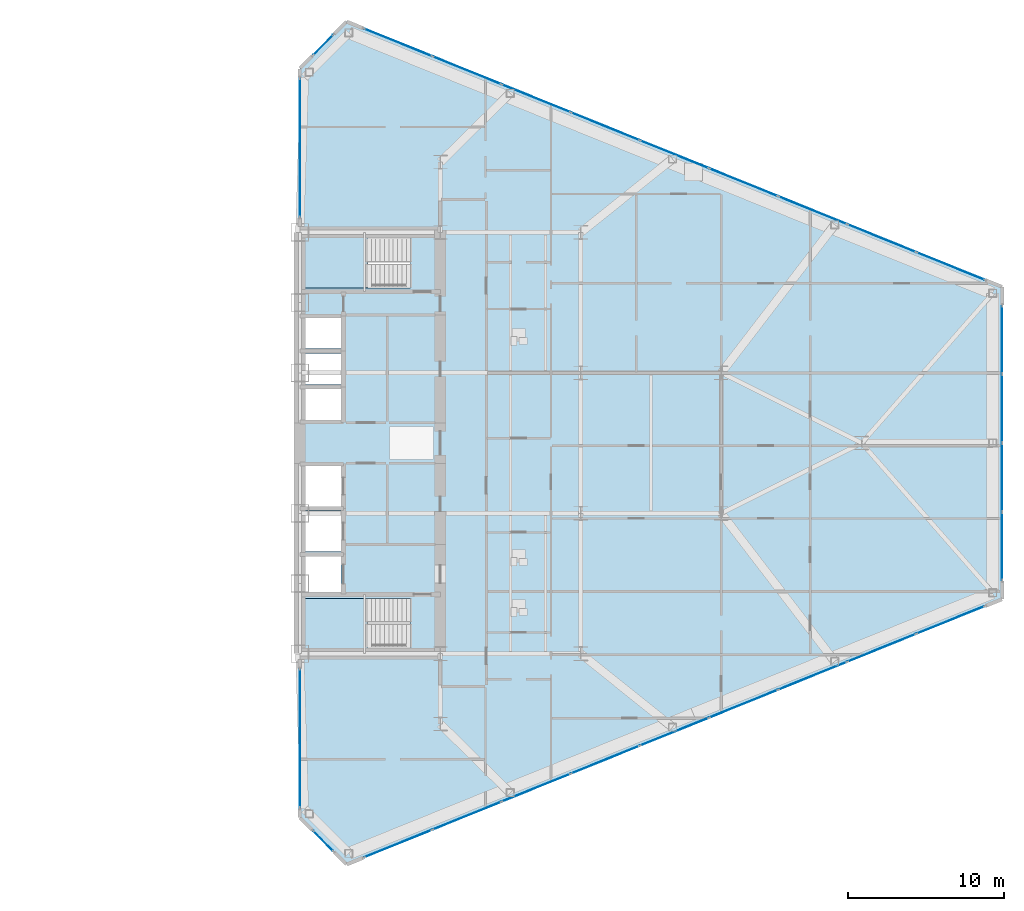
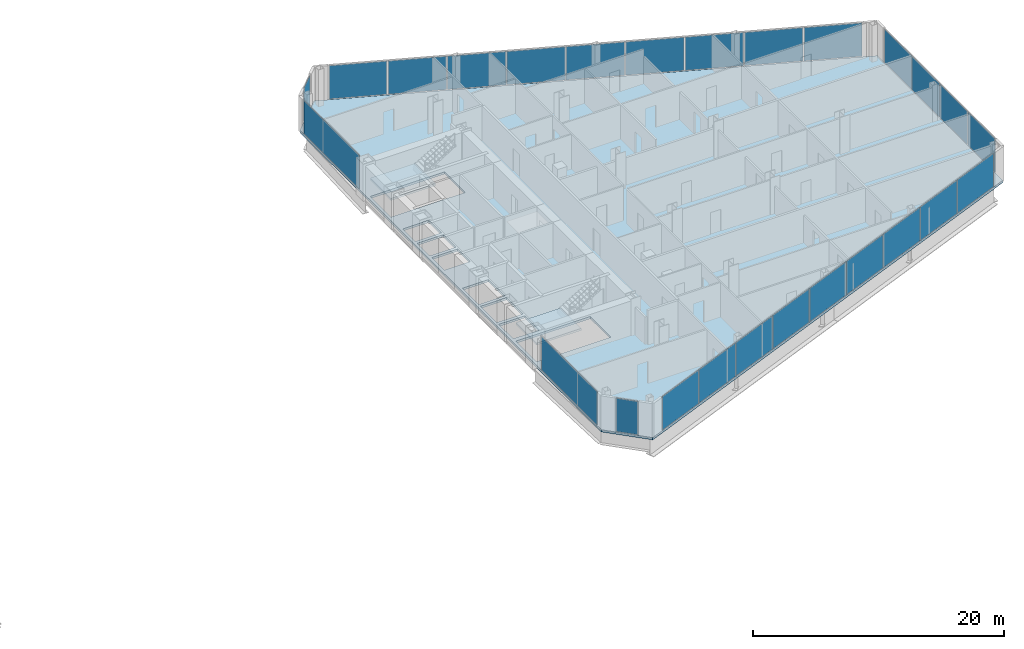
# One storey, part 17 of 26: 26 plates, 3 slabs, 9 elements without a shape of their own.
"""IFC4 building model written with IfcOpenShell, lengths in metres."""

from ifc_helpers import new_model, si_unit, direction, frame, origin, origin_2d, place, context, subcontext, project, spatial, polyline, rectangle, outline, extrude, source, transform, mapped, material, layer, layer_set, type_object, type_shapes, element, aggregate, save


model = new_model("IFC4")

# Units and contexts
model_context = context("Model", 3, precision=1e-05, world=origin(), true_north=direction((0.0, 1.0)))
body_context = subcontext(model_context, "Body", "Model", "MODEL_VIEW")
ifc_project = project(units=[si_unit("LENGTHUNIT", "METRE"), si_unit("AREAUNIT", "SQUARE_METRE"), si_unit("VOLUMEUNIT", "CUBIC_METRE"), si_unit("PLANEANGLEUNIT", "RADIAN"), si_unit("MASSUNIT", "GRAM", prefix="KILO")], contexts=[model_context])

# Site, building, storey
site_placement = place(None, origin())
site = spatial("IfcSite", under=ifc_project, at=site_placement, CompositionType="ELEMENT")
building_placement = place(site_placement, origin())
building = spatial("IfcBuilding", under=site, at=building_placement, Name="Seokmaru Belvedere", CompositionType="ELEMENT")
storey_placement = place(building_placement, frame((0.0, 0.0, 18.89990234375)))
storey = spatial("IfcBuildingStorey", under=building, at=storey_placement, Name="L04", CompositionType="ELEMENT", Elevation=18.89990234375)

# Stair, slab
ifc_material_1 = material(Name="Concrete C40 (40 MPa)", Category="concrete")
stair_type = type_object("IfcStairType", Name="Typical Tower Core Dog-Leg Stair 3600", PredefinedType="TWO_STRAIGHT_RUN_STAIR", material=ifc_material_1)
stair_1_placement = place(storey_placement, origin())
stair_1 = element("IfcStair", 1, at=stair_1_placement, inside=storey, type_object=stair_type, Name="L04 Special Escape Stair ST-E1", PredefinedType="TWO_STRAIGHT_RUN_STAIR")
ifc_layer_1 = layer(ifc_material_1, 0.199951171875)
ifc_layer_set_1 = layer_set([ifc_layer_1], Name="Concrete C40 (40 MPa)")
slab_type_1 = type_object("IfcSlabType", Name="Reinforced Concrete Stair Landing Slab 200", PredefinedType="LANDING", material=ifc_layer_set_1)
slab_1_placement = place(storey_placement, frame((0.0, 0.0, 1.60009765625)))
slab_1 = element("IfcSlab", 2, at=slab_1_placement, type_object=slab_type_1, Name="ST-E1 landing 1", PredefinedType="LANDING", context=body_context, shape_type="SweptSolid", body=[
    extrude(outline(polyline([(27.760009765625, -13.239990234375), (31.8798828125, -13.239990234375), (31.8798828125, -9.949951171875), (27.760009765625, -9.949951171875), (27.760009765625, -13.239990234375)])), origin(), (0.0, 0.0, 1.0), 0.199951171875),
])
aggregate(stair_1, [slab_1])

stair_2_placement = place(storey_placement, origin())
stair_2 = element("IfcStair", 3, at=stair_2_placement, inside=storey, type_object=stair_type, Name="L04 Special Escape Stair ST-E2", PredefinedType="TWO_STRAIGHT_RUN_STAIR")
slab_2_placement = place(storey_placement, frame((0.0, 0.0, 1.60009765625)))
slab_2 = element("IfcSlab", 4, at=slab_2_placement, type_object=slab_type_1, Name="ST-E2 landing 1", PredefinedType="LANDING", context=body_context, shape_type="SweptSolid", body=[
    extrude(outline(polyline([(27.760009765625, 9.949951171875), (31.8798828125, 9.949951171875), (31.8798828125, 13.239990234375), (27.760009765625, 13.239990234375), (27.760009765625, 9.949951171875)])), origin(), (0.0, 0.0, 1.0), 0.199951171875),
])
aggregate(stair_2, [slab_2])

# Slab
ifc_layer_2 = layer(ifc_material_1, 0.219970703125)
ifc_layer_set_2 = layer_set([ifc_layer_2], Name="Concrete C40 (40 MPa)")
slab_type_2 = type_object("IfcSlabType", Name="Typical Tower Composite Floor Slab 220", PredefinedType="FLOOR", material=ifc_layer_set_2)
slab_3_placement = place(storey_placement, frame((0.0, 0.0, -0.219970703125)))
element("IfcSlab", 5, at=slab_3_placement, inside=storey, type_object=slab_type_2, Name="L04 East Leg Floor Slab", PredefinedType="FLOOR", context=body_context, shape_type="SweptSolid", body=[
    extrude(outline(polyline([(30.5, -27.0), (72.5, -10.0), (72.5, 10.0), (30.5, 27.0), (27.5, 24.0), (27.5, -24.0), (30.5, -27.0)]), holes=[polyline([(27.75, -13.25), (34.60009765625, -13.25), (34.60009765625, -9.949951171875), (27.75, -9.949951171875), (27.75, -13.25)]), polyline([(27.75, 9.949951171875), (34.60009765625, 9.949951171875), (34.60009765625, 13.25), (27.75, 13.25), (27.75, 9.949951171875)]), polyline([(27.75, -9.550048828125), (30.14990234375, -9.550048828125), (30.14990234375, -7.25), (27.75, -7.25), (27.75, -9.550048828125)]), polyline([(27.75, -6.949951171875), (30.14990234375, -6.949951171875), (30.14990234375, -4.35009765625), (27.75, -4.35009765625), (27.75, -6.949951171875)]), polyline([(27.75, -4.050048828125), (30.14990234375, -4.050048828125), (30.14990234375, -1.449951171875), (27.75, -1.449951171875), (27.75, -4.050048828125)]), polyline([(27.75, 1.449951171875), (30.14990234375, 1.449951171875), (30.14990234375, 3.449951171875), (27.75, 3.449951171875), (27.75, 1.449951171875)]), polyline([(27.75, 3.75), (30.14990234375, 3.75), (30.14990234375, 5.75), (27.75, 5.75), (27.75, 3.75)]), polyline([(27.75, 6.050048828125), (30.14990234375, 6.050048828125), (30.14990234375, 8.050048828125), (27.75, 8.050048828125), (27.75, 6.050048828125)])]), origin(), (0.0, 0.0, 1.0), 0.219970703125),
])

# Curtain wall, plate
ifc_material_2 = material(Name="Bronze Triple Insulating Glass", Category="glass")
ifc_layer_3 = layer(ifc_material_2, 0.2099609375)
ifc_layer_set_3 = layer_set([ifc_layer_3], Name="Bronze Triple Insulating Glass")
curtain_wall_type = type_object("IfcCurtainWallType", Name="Low-Rise Faceted Crystal Curtain Wall System CW-2", PredefinedType="NOTDEFINED", material=ifc_layer_set_3)
curtain_wall_1_placement = place(storey_placement, origin())
curtain_wall_1 = element("IfcCurtainWall", 6, at=curtain_wall_1_placement, inside=storey, type_object=curtain_wall_type, Name="L04 Curtain Wall ESP_1", PredefinedType="NOTDEFINED")
ifc_layer_4 = layer(ifc_material_2, 0.035888671875)
ifc_layer_set_4 = layer_set([ifc_layer_4], Name="Bronze Triple Insulating Glass")
plate_type = type_object("IfcPlateType", Name="Bronze Triple Vision Glazing Panel 36", PredefinedType="CURTAIN_PANEL", material=ifc_layer_set_4)
shared_shape_1 = source(origin(), body_context, "Body", "SweptSolid", [
    extrude(rectangle(XDim=8.85009765625, YDim=0.035888671875, at=origin_2d()), origin(), (0.0, 0.0, 1.0), 3.239990234375),
])
plate_1_placement = place(storey_placement, frame((27.5, -18.929931640625, 0.0703125), z_axis=(0.0, 0.0, 1.0), x_axis=(0.0, -1.0, 0.0)))
plate_1 = element("IfcPlate", 7, at=plate_1_placement, type_object=plate_type, Name="CW:L04:ESP_1 Glazing Panel 1-1", PredefinedType="CURTAIN_PANEL", context=body_context, shape_type="MappedRepresentation", body=[
    mapped(shared_shape_1, transform((0.0, 0.0, 0.0), scale=1.0)),
])
aggregate(curtain_wall_1, [plate_1])

curtain_wall_2_placement = place(storey_placement, origin())
curtain_wall_2 = element("IfcCurtainWall", 8, at=curtain_wall_2_placement, inside=storey, type_object=curtain_wall_type, Name="L04 Curtain Wall ESP_2", PredefinedType="NOTDEFINED")
plate_2_placement = place(storey_placement, frame((27.5, 18.929931640625, 0.0703125), z_axis=(0.0, 0.0, 1.0), x_axis=(0.0, -1.0, 0.0)))
plate_2 = element("IfcPlate", 9, at=plate_2_placement, type_object=plate_type, Name="CW:L04:ESP_2 Glazing Panel 1-1", PredefinedType="CURTAIN_PANEL", context=body_context, shape_type="MappedRepresentation", body=[
    mapped(shared_shape_1, transform((0.0, 0.0, 0.0), scale=1.0)),
])
aggregate(curtain_wall_2, [plate_2])

curtain_wall_3_placement = place(storey_placement, origin())
curtain_wall_3 = element("IfcCurtainWall", 10, at=curtain_wall_3_placement, inside=storey, type_object=curtain_wall_type, Name="L04 Curtain Wall EF4", PredefinedType="NOTDEFINED")
shared_shape_2 = source(origin(), body_context, "Body", "SweptSolid", [
    extrude(rectangle(XDim=1.79248046875, YDim=0.035888671875, at=origin_2d()), origin(), (0.0, 0.0, 1.0), 3.239990234375),
])
plate_3_placement = place(storey_placement, frame((29.0, 25.5, 0.0703125), z_axis=(0.0, 0.0, 1.0), x_axis=(-0.707106781187, -0.707106781187, 0.0)))
plate_3 = element("IfcPlate", 11, at=plate_3_placement, type_object=plate_type, Name="CW:L04:EF4 Glazing Panel 1-1", PredefinedType="CURTAIN_PANEL", context=body_context, shape_type="MappedRepresentation", body=[
    mapped(shared_shape_2, transform((0.0, 0.0, 0.0), scale=1.0)),
])
aggregate(curtain_wall_3, [plate_3])

curtain_wall_4_placement = place(storey_placement, origin())
curtain_wall_4 = element("IfcCurtainWall", 12, at=curtain_wall_4_placement, inside=storey, type_object=curtain_wall_type, Name="L04 Curtain Wall EF6", PredefinedType="NOTDEFINED")
plate_4_placement = place(storey_placement, frame((29.0, -25.5, 0.0703125), z_axis=(0.0, 0.0, 1.0), x_axis=(0.707106781187, -0.707106781187, 0.0)))
plate_4 = element("IfcPlate", 13, at=plate_4_placement, type_object=plate_type, Name="CW:L04:EF6 Glazing Panel 1-1", PredefinedType="CURTAIN_PANEL", context=body_context, shape_type="MappedRepresentation", body=[
    mapped(shared_shape_2, transform((0.0, 0.0, 0.0), scale=1.0)),
])
aggregate(curtain_wall_4, [plate_4])

# Curtain wall, plates
curtain_wall_5_placement = place(storey_placement, origin())
curtain_wall_5 = element("IfcCurtainWall", 14, at=curtain_wall_5_placement, inside=storey, type_object=curtain_wall_type, Name="L04 Curtain Wall EF1", PredefinedType="NOTDEFINED")
shared_shape_3 = source(origin(), body_context, "Body", "SweptSolid", [
    extrude(rectangle(XDim=4.66650390625, YDim=0.035888671875, at=origin_2d()), origin(), (0.0, 0.0, 1.0), 3.239990234375),
])
plate_5_placement = place(storey_placement, frame((33.79833984375, -25.6650390625, 0.0703125), z_axis=(0.0, 0.0, 1.0), x_axis=(0.926946989637, 0.375192321888, 0.0)))
plate_5 = element("IfcPlate", 15, at=plate_5_placement, type_object=plate_type, Name="CW:L04:EF1 Glazing Panel 1-1", PredefinedType="CURTAIN_PANEL", context=body_context, shape_type="MappedRepresentation", body=[
    mapped(shared_shape_3, transform((0.0, 0.0, 0.0), scale=1.0)),
])
plate_6_placement = place(storey_placement, frame((69.20166015625, -11.3349609375, 0.0703125), z_axis=(0.0, 0.0, 1.0), x_axis=(0.926946989637, 0.375192321888, 0.0)))
plate_6 = element("IfcPlate", 16, at=plate_6_placement, type_object=plate_type, Name="CW:L04:EF1 Glazing Panel 9-1", PredefinedType="CURTAIN_PANEL", context=body_context, shape_type="MappedRepresentation", body=[
    mapped(shared_shape_3, transform((0.0, 0.0, 0.0), scale=1.0)),
])

curtain_wall_6_placement = place(storey_placement, origin())
curtain_wall_6 = element("IfcCurtainWall", 17, at=curtain_wall_6_placement, inside=storey, type_object=curtain_wall_type, Name="L04 Curtain Wall EF3", PredefinedType="NOTDEFINED")
plate_7_placement = place(storey_placement, frame((69.20166015625, 11.3349609375, 0.0703125), z_axis=(0.0, 0.0, 1.0), x_axis=(-0.926946989637, 0.375192321888, 0.0)))
plate_7 = element("IfcPlate", 18, at=plate_7_placement, type_object=plate_type, Name="CW:L04:EF3 Glazing Panel 1-1", PredefinedType="CURTAIN_PANEL", context=body_context, shape_type="MappedRepresentation", body=[
    mapped(shared_shape_3, transform((0.0, 0.0, 0.0), scale=1.0)),
])
plate_8_placement = place(storey_placement, frame((33.79833984375, 25.6650390625, 0.0703125), z_axis=(0.0, 0.0, 1.0), x_axis=(-0.926946989637, 0.375192321888, 0.0)))
plate_8 = element("IfcPlate", 19, at=plate_8_placement, type_object=plate_type, Name="CW:L04:EF3 Glazing Panel 9-1", PredefinedType="CURTAIN_PANEL", context=body_context, shape_type="MappedRepresentation", body=[
    mapped(shared_shape_3, transform((0.0, 0.0, 0.0), scale=1.0)),
])

# Plate
shared_shape_4 = source(origin(), body_context, "Body", "SweptSolid", [
    extrude(rectangle(XDim=4.703857421875, YDim=0.035888671875, at=origin_2d()), origin(), (0.0, 0.0, 1.0), 3.239990234375),
])
plate_9_placement = place(storey_placement, frame((38.210693359375, -23.87890625, 0.0703125), z_axis=(0.0, 0.0, 1.0), x_axis=(0.926946989637, 0.375192321888, 0.0)))
plate_9 = element("IfcPlate", 20, at=plate_9_placement, type_object=plate_type, Name="CW:L04:EF1 Glazing Panel 2-1", PredefinedType="CURTAIN_PANEL", context=body_context, shape_type="MappedRepresentation", body=[
    mapped(shared_shape_4, transform((0.0, 0.0, 0.0), scale=1.0)),
])

plate_10_placement = place(storey_placement, frame((42.640380859375, -22.0859375, 0.0703125), z_axis=(0.0, 0.0, 1.0), x_axis=(0.926946989637, 0.375192321888, 0.0)))
plate_10 = element("IfcPlate", 21, at=plate_10_placement, type_object=plate_type, Name="CW:L04:EF1 Glazing Panel 3-1", PredefinedType="CURTAIN_PANEL", context=body_context, shape_type="MappedRepresentation", body=[
    mapped(shared_shape_4, transform((0.0, 0.0, 0.0), scale=1.0)),
])

plate_11_placement = place(storey_placement, frame((47.0703125, -20.29296875, 0.0703125), z_axis=(0.0, 0.0, 1.0), x_axis=(0.926946989637, 0.375192321888, 0.0)))
plate_11 = element("IfcPlate", 22, at=plate_11_placement, type_object=plate_type, Name="CW:L04:EF1 Glazing Panel 4-1", PredefinedType="CURTAIN_PANEL", context=body_context, shape_type="MappedRepresentation", body=[
    mapped(shared_shape_4, transform((0.0, 0.0, 0.0), scale=1.0)),
])

plate_12_placement = place(storey_placement, frame((51.5, -18.5, 0.0703125), z_axis=(0.0, 0.0, 1.0), x_axis=(0.926946989637, 0.375192321888, 0.0)))
plate_12 = element("IfcPlate", 23, at=plate_12_placement, type_object=plate_type, Name="CW:L04:EF1 Glazing Panel 5-1", PredefinedType="CURTAIN_PANEL", context=body_context, shape_type="MappedRepresentation", body=[
    mapped(shared_shape_4, transform((0.0, 0.0, 0.0), scale=1.0)),
])

plate_13_placement = place(storey_placement, frame((55.9296875, -16.70703125, 0.0703125), z_axis=(0.0, 0.0, 1.0), x_axis=(0.926946989637, 0.375192321888, 0.0)))
plate_13 = element("IfcPlate", 24, at=plate_13_placement, type_object=plate_type, Name="CW:L04:EF1 Glazing Panel 6-1", PredefinedType="CURTAIN_PANEL", context=body_context, shape_type="MappedRepresentation", body=[
    mapped(shared_shape_4, transform((0.0, 0.0, 0.0), scale=1.0)),
])

plate_14_placement = place(storey_placement, frame((60.359619140625, -14.9140625, 0.0703125), z_axis=(0.0, 0.0, 1.0), x_axis=(0.926946989637, 0.375192321888, 0.0)))
plate_14 = element("IfcPlate", 25, at=plate_14_placement, type_object=plate_type, Name="CW:L04:EF1 Glazing Panel 7-1", PredefinedType="CURTAIN_PANEL", context=body_context, shape_type="MappedRepresentation", body=[
    mapped(shared_shape_4, transform((0.0, 0.0, 0.0), scale=1.0)),
])

plate_15_placement = place(storey_placement, frame((64.789306640625, -13.12109375, 0.0703125), z_axis=(0.0, 0.0, 1.0), x_axis=(0.926946989637, 0.375192321888, 0.0)))
plate_15 = element("IfcPlate", 26, at=plate_15_placement, type_object=plate_type, Name="CW:L04:EF1 Glazing Panel 8-1", PredefinedType="CURTAIN_PANEL", context=body_context, shape_type="MappedRepresentation", body=[
    mapped(shared_shape_4, transform((0.0, 0.0, 0.0), scale=1.0)),
])

aggregate(curtain_wall_5, [plate_5, plate_9, plate_10, plate_11, plate_12, plate_13, plate_14, plate_15, plate_6])

plate_16_placement = place(storey_placement, frame((64.789306640625, 13.12109375, 0.0703125), z_axis=(0.0, 0.0, 1.0), x_axis=(-0.926946989637, 0.375192321888, 0.0)))
plate_16 = element("IfcPlate", 27, at=plate_16_placement, type_object=plate_type, Name="CW:L04:EF3 Glazing Panel 2-1", PredefinedType="CURTAIN_PANEL", context=body_context, shape_type="MappedRepresentation", body=[
    mapped(shared_shape_4, transform((0.0, 0.0, 0.0), scale=1.0)),
])

plate_17_placement = place(storey_placement, frame((60.359619140625, 14.9140625, 0.0703125), z_axis=(0.0, 0.0, 1.0), x_axis=(-0.926946989637, 0.375192321888, 0.0)))
plate_17 = element("IfcPlate", 28, at=plate_17_placement, type_object=plate_type, Name="CW:L04:EF3 Glazing Panel 3-1", PredefinedType="CURTAIN_PANEL", context=body_context, shape_type="MappedRepresentation", body=[
    mapped(shared_shape_4, transform((0.0, 0.0, 0.0), scale=1.0)),
])

plate_18_placement = place(storey_placement, frame((55.9296875, 16.70703125, 0.0703125), z_axis=(0.0, 0.0, 1.0), x_axis=(-0.926946989637, 0.375192321888, 0.0)))
plate_18 = element("IfcPlate", 29, at=plate_18_placement, type_object=plate_type, Name="CW:L04:EF3 Glazing Panel 4-1", PredefinedType="CURTAIN_PANEL", context=body_context, shape_type="MappedRepresentation", body=[
    mapped(shared_shape_4, transform((0.0, 0.0, 0.0), scale=1.0)),
])

plate_19_placement = place(storey_placement, frame((51.5, 18.5, 0.0703125), z_axis=(0.0, 0.0, 1.0), x_axis=(-0.926946989637, 0.375192321888, 0.0)))
plate_19 = element("IfcPlate", 30, at=plate_19_placement, type_object=plate_type, Name="CW:L04:EF3 Glazing Panel 5-1", PredefinedType="CURTAIN_PANEL", context=body_context, shape_type="MappedRepresentation", body=[
    mapped(shared_shape_4, transform((0.0, 0.0, 0.0), scale=1.0)),
])

plate_20_placement = place(storey_placement, frame((47.0703125, 20.29296875, 0.0703125), z_axis=(0.0, 0.0, 1.0), x_axis=(-0.926946989637, 0.375192321888, 0.0)))
plate_20 = element("IfcPlate", 31, at=plate_20_placement, type_object=plate_type, Name="CW:L04:EF3 Glazing Panel 6-1", PredefinedType="CURTAIN_PANEL", context=body_context, shape_type="MappedRepresentation", body=[
    mapped(shared_shape_4, transform((0.0, 0.0, 0.0), scale=1.0)),
])

plate_21_placement = place(storey_placement, frame((42.640380859375, 22.0859375, 0.0703125), z_axis=(0.0, 0.0, 1.0), x_axis=(-0.926946989637, 0.375192321888, 0.0)))
plate_21 = element("IfcPlate", 32, at=plate_21_placement, type_object=plate_type, Name="CW:L04:EF3 Glazing Panel 7-1", PredefinedType="CURTAIN_PANEL", context=body_context, shape_type="MappedRepresentation", body=[
    mapped(shared_shape_4, transform((0.0, 0.0, 0.0), scale=1.0)),
])

plate_22_placement = place(storey_placement, frame((38.210693359375, 23.87890625, 0.0703125), z_axis=(0.0, 0.0, 1.0), x_axis=(-0.926946989637, 0.375192321888, 0.0)))
plate_22 = element("IfcPlate", 33, at=plate_22_placement, type_object=plate_type, Name="CW:L04:EF3 Glazing Panel 8-1", PredefinedType="CURTAIN_PANEL", context=body_context, shape_type="MappedRepresentation", body=[
    mapped(shared_shape_4, transform((0.0, 0.0, 0.0), scale=1.0)),
])

aggregate(curtain_wall_6, [plate_7, plate_16, plate_17, plate_18, plate_19, plate_20, plate_21, plate_22, plate_8])

# Curtain wall, plates
curtain_wall_7_placement = place(storey_placement, origin())
curtain_wall_7 = element("IfcCurtainWall", 34, at=curtain_wall_7_placement, inside=storey, type_object=curtain_wall_type, Name="L04 Curtain Wall EF2", PredefinedType="NOTDEFINED")
shared_shape_5 = source(origin(), body_context, "Body", "SweptSolid", [
    extrude(rectangle(XDim=4.3125, YDim=0.035888671875, at=origin_2d()), origin(), (0.0, 0.0, 1.0), 3.239990234375),
])
plate_23_placement = place(storey_placement, frame((72.5, -6.61865234375, 0.0703125), z_axis=(0.0, 0.0, 1.0), x_axis=(0.0, 1.0, 0.0)))
plate_23 = element("IfcPlate", 35, at=plate_23_placement, type_object=plate_type, Name="CW:L04:EF2 Glazing Panel 1-1", PredefinedType="CURTAIN_PANEL", context=body_context, shape_type="MappedRepresentation", body=[
    mapped(shared_shape_5, transform((0.0, 0.0, 0.0), scale=1.0)),
])
plate_24_placement = place(storey_placement, frame((72.5, 6.61865234375, 0.0703125), z_axis=(0.0, 0.0, 1.0), x_axis=(0.0, 1.0, 0.0)))
plate_24 = element("IfcPlate", 36, at=plate_24_placement, type_object=plate_type, Name="CW:L04:EF2 Glazing Panel 4-1", PredefinedType="CURTAIN_PANEL", context=body_context, shape_type="MappedRepresentation", body=[
    mapped(shared_shape_5, transform((0.0, 0.0, 0.0), scale=1.0)),
])
shared_shape_6 = source(origin(), body_context, "Body", "SweptSolid", [
    extrude(rectangle(XDim=4.35009765625, YDim=0.035888671875, at=origin_2d()), origin(), (0.0, 0.0, 1.0), 3.239990234375),
])
type_shapes(plate_type, [shared_shape_1, shared_shape_2, shared_shape_3, shared_shape_4, shared_shape_5, shared_shape_6])
plate_25_placement = place(storey_placement, frame((72.5, -2.21240234375, 0.0703125), z_axis=(0.0, 0.0, 1.0), x_axis=(0.0, 1.0, 0.0)))
plate_25 = element("IfcPlate", 37, at=plate_25_placement, type_object=plate_type, Name="CW:L04:EF2 Glazing Panel 2-1", PredefinedType="CURTAIN_PANEL", context=body_context, shape_type="MappedRepresentation", body=[
    mapped(shared_shape_6, transform((0.0, 0.0, 0.0), scale=1.0)),
])
plate_26_placement = place(storey_placement, frame((72.5, 2.21240234375, 0.0703125), z_axis=(0.0, 0.0, 1.0), x_axis=(0.0, 1.0, 0.0)))
plate_26 = element("IfcPlate", 38, at=plate_26_placement, type_object=plate_type, Name="CW:L04:EF2 Glazing Panel 3-1", PredefinedType="CURTAIN_PANEL", context=body_context, shape_type="MappedRepresentation", body=[
    mapped(shared_shape_6, transform((0.0, 0.0, 0.0), scale=1.0)),
])
aggregate(curtain_wall_7, [plate_23, plate_25, plate_26, plate_24])

save(model, "model.ifc")
